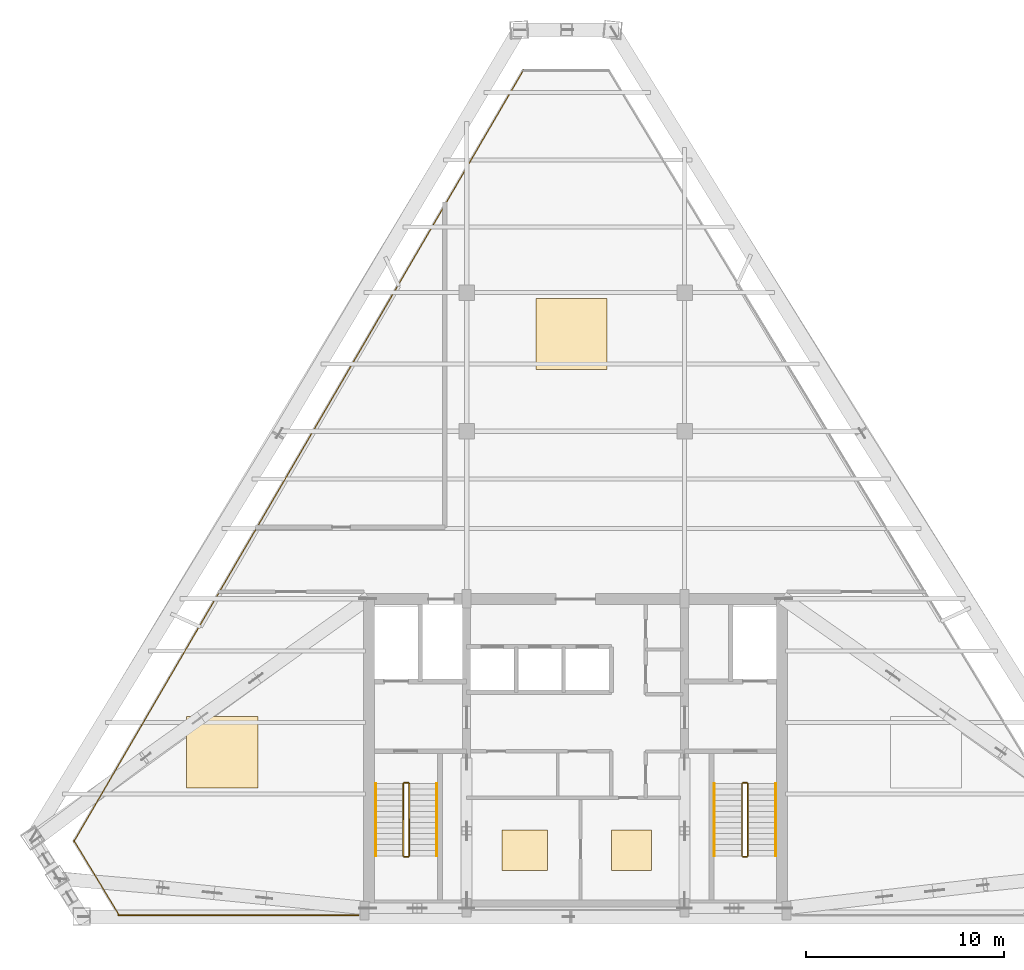
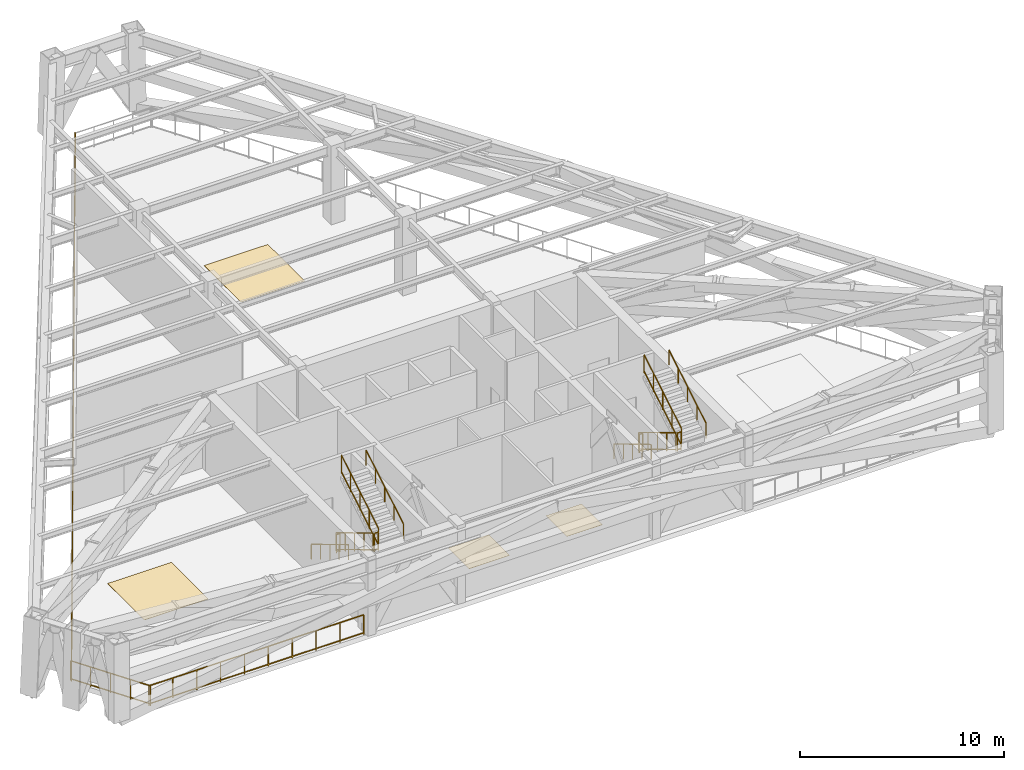
# One storey, part 8 of 9: 15 railings, 4 coverings.
"""IFC4 building model written with IfcOpenShell, lengths in metres."""

from ifc_helpers import new_model, si_unit, direction, frame, origin, origin_2d, place, context, subcontext, project, spatial, rectangle, extrude, source, transform, mapped, material, layer, layer_set, type_object, type_shapes, element, save


model = new_model("IFC4")

# Units and contexts
model_context = context("Model", 3, precision=1e-05, world=origin(), true_north=direction((0.0, 1.0)))
body_context = subcontext(model_context, "Body", "Model", "MODEL_VIEW")
ifc_project = project(units=[si_unit("LENGTHUNIT", "METRE"), si_unit("AREAUNIT", "SQUARE_METRE"), si_unit("VOLUMEUNIT", "CUBIC_METRE"), si_unit("PLANEANGLEUNIT", "RADIAN"), si_unit("MASSUNIT", "GRAM", prefix="KILO")], contexts=[model_context])

# Site, building, storey
site_placement = place(None, origin())
site = spatial("IfcSite", under=ifc_project, at=site_placement, CompositionType="ELEMENT")
building_placement = place(site_placement, origin())
building = spatial("IfcBuilding", under=site, at=building_placement, Name="Varnakhor Terracotta Tower", CompositionType="ELEMENT")
storey_placement = place(building_placement, frame((0.0, 0.0, 257.949951171875)))
storey = spatial("IfcBuildingStorey", under=building, at=storey_placement, Name="L67", CompositionType="ELEMENT", Elevation=257.949951171875)

# Railings
ifc_material_1 = material(Name="Painted Steel Stairwell Guardrail", Category="steel")
railing_type_1 = type_object("IfcRailingType", Name="RLG-STAIR-GUARD-1120", PredefinedType="GUARDRAIL", material=ifc_material_1)
railing_1_placement = place(storey_placement, frame((-8.699951171875, 6.7099609375, 0.16796875)))
element("IfcRailing", 1, at=railing_1_placement, inside=storey, type_object=railing_type_1, Name="L67 ST-1 stair guard 1", PredefinedType="GUARDRAIL", context=body_context, shape_type="SweptSolid", body=[
    extrude(rectangle(XDim=0.048095703125, YDim=0.048095703125, at=origin_2d()), frame((0.0, 0.0, 1.09619140625), z_axis=(0.0, -0.857680679645, 0.514182702708), x_axis=(1.0, 0.0, 0.0)), (0.0, 0.0, 1.0), 4.243896484375),
    extrude(rectangle(XDim=0.048095703125, YDim=0.048095703125, at=origin_2d()), frame((0.0, 0.0, 0.10009765625), z_axis=(0.0, -0.857680679645, 0.514182702708), x_axis=(1.0, 0.0, 0.0)), (0.0, 0.0, 1.0), 4.243896484375),
    extrude(rectangle(XDim=0.0419921875, YDim=0.0419921875, at=origin_2d()), origin(), (0.0, 0.0, 1.0), 1.072021484375),
    extrude(rectangle(XDim=0.0419921875, YDim=0.0419921875, at=origin_2d()), frame((0.0, -0.909912109375, 0.54541015625)), (0.0, 0.0, 1.0), 1.072021484375),
    extrude(rectangle(XDim=0.0419921875, YDim=0.0419921875, at=origin_2d()), frame((0.0, -1.81982421875, 1.091064453125)), (0.0, 0.0, 1.0), 1.072021484375),
    extrude(rectangle(XDim=0.0419921875, YDim=0.0419921875, at=origin_2d()), frame((0.0, -2.72998046875, 1.63671875)), (0.0, 0.0, 1.0), 1.072021484375),
    extrude(rectangle(XDim=0.0419921875, YDim=0.0419921875, at=origin_2d()), frame((0.0, -3.639892578125, 2.18212890625)), (0.0, 0.0, 1.0), 1.072021484375),
])
railing_2_placement = place(storey_placement, frame((-8.64990234375, 3.02001953125, 2.35009765625)))
element("IfcRailing", 2, at=railing_2_placement, inside=storey, type_object=railing_type_1, Name="L67 ST-1 stair guard 2", PredefinedType="GUARDRAIL", context=body_context, shape_type="SweptSolid", body=[
    extrude(rectangle(XDim=0.048095703125, YDim=0.048095703125, at=origin_2d()), frame((0.0, 0.0, 1.09619140625), z_axis=(1.0, 0.0, 0.0), x_axis=(0.0, 1.0, 0.0)), (0.0, 0.0, 1.0), 0.199951171875),
    extrude(rectangle(XDim=0.048095703125, YDim=0.048095703125, at=origin_2d()), frame((0.0, 0.0, 0.10009765625), z_axis=(1.0, 0.0, 0.0), x_axis=(0.0, 1.0, 0.0)), (0.0, 0.0, 1.0), 0.199951171875),
    extrude(rectangle(XDim=0.0419921875, YDim=0.0419921875, at=origin_2d()), origin(), (0.0, 0.0, 1.0), 1.072021484375),
    extrude(rectangle(XDim=0.0419921875, YDim=0.0419921875, at=origin_2d()), frame((0.199951171875, 0.0, 0.0)), (0.0, 0.0, 1.0), 1.072021484375),
])
railing_3_placement = place(storey_placement, frame((-8.39990234375, 3.070068359375, 2.517822265625)))
element("IfcRailing", 3, at=railing_3_placement, inside=storey, type_object=railing_type_1, Name="L67 ST-1 stair guard 3", PredefinedType="GUARDRAIL", context=body_context, shape_type="SweptSolid", body=[
    extrude(rectangle(XDim=0.048095703125, YDim=0.048095703125, at=origin_2d()), frame((0.0, 0.0, 1.09619140625), z_axis=(0.0, 0.857680679645, 0.514182702708), x_axis=(-1.0, 0.0, 0.0)), (0.0, 0.0, 1.0), 4.243896484375),
    extrude(rectangle(XDim=0.048095703125, YDim=0.048095703125, at=origin_2d()), frame((0.0, 0.0, 0.10009765625), z_axis=(0.0, 0.857680679645, 0.514182702708), x_axis=(-1.0, 0.0, 0.0)), (0.0, 0.0, 1.0), 4.243896484375),
    extrude(rectangle(XDim=0.0419921875, YDim=0.0419921875, at=origin_2d()), origin(), (0.0, 0.0, 1.0), 1.072021484375),
    extrude(rectangle(XDim=0.0419921875, YDim=0.0419921875, at=origin_2d()), frame((0.0, 0.909912109375, 0.54541015625)), (0.0, 0.0, 1.0), 1.072021484375),
    extrude(rectangle(XDim=0.0419921875, YDim=0.0419921875, at=origin_2d()), frame((0.0, 1.81982421875, 1.091064453125)), (0.0, 0.0, 1.0), 1.072021484375),
    extrude(rectangle(XDim=0.0419921875, YDim=0.0419921875, at=origin_2d()), frame((0.0, 2.72998046875, 1.63671875)), (0.0, 0.0, 1.0), 1.072021484375),
    extrude(rectangle(XDim=0.0419921875, YDim=0.0419921875, at=origin_2d()), frame((0.0, 3.639892578125, 2.18212890625)), (0.0, 0.0, 1.0), 1.072021484375),
])
railing_4_placement = place(storey_placement, frame((-8.64990234375, 6.760009765625, 0.0)))
element("IfcRailing", 4, at=railing_4_placement, inside=storey, type_object=railing_type_1, Name="L67 ST-1 stair guard 4", PredefinedType="GUARDRAIL", context=body_context, shape_type="SweptSolid", body=[
    extrude(rectangle(XDim=0.048095703125, YDim=0.048095703125, at=origin_2d()), frame((0.0, 0.0, 1.09619140625), z_axis=(1.0, 0.0, 0.0), x_axis=(0.0, 1.0, 0.0)), (0.0, 0.0, 1.0), 0.199951171875),
    extrude(rectangle(XDim=0.048095703125, YDim=0.048095703125, at=origin_2d()), frame((0.0, 0.0, 0.10009765625), z_axis=(1.0, 0.0, 0.0), x_axis=(0.0, 1.0, 0.0)), (0.0, 0.0, 1.0), 0.199951171875),
    extrude(rectangle(XDim=0.0419921875, YDim=0.0419921875, at=origin_2d()), origin(), (0.0, 0.0, 1.0), 1.072021484375),
    extrude(rectangle(XDim=0.0419921875, YDim=0.0419921875, at=origin_2d()), frame((0.199951171875, 0.0, 0.0)), (0.0, 0.0, 1.0), 1.072021484375),
])
railing_5_placement = place(storey_placement, frame((8.39990234375, 6.7099609375, 0.16796875)))
element("IfcRailing", 5, at=railing_5_placement, inside=storey, type_object=railing_type_1, Name="L67 ST-2 stair guard 1", PredefinedType="GUARDRAIL", context=body_context, shape_type="SweptSolid", body=[
    extrude(rectangle(XDim=0.048095703125, YDim=0.048095703125, at=origin_2d()), frame((0.0, 0.0, 1.09619140625), z_axis=(0.0, -0.857680679645, 0.514182702708), x_axis=(1.0, 0.0, 0.0)), (0.0, 0.0, 1.0), 4.243896484375),
    extrude(rectangle(XDim=0.048095703125, YDim=0.048095703125, at=origin_2d()), frame((0.0, 0.0, 0.10009765625), z_axis=(0.0, -0.857680679645, 0.514182702708), x_axis=(1.0, 0.0, 0.0)), (0.0, 0.0, 1.0), 4.243896484375),
    extrude(rectangle(XDim=0.0419921875, YDim=0.0419921875, at=origin_2d()), origin(), (0.0, 0.0, 1.0), 1.072021484375),
    extrude(rectangle(XDim=0.0419921875, YDim=0.0419921875, at=origin_2d()), frame((0.0, -0.909912109375, 0.54541015625)), (0.0, 0.0, 1.0), 1.072021484375),
    extrude(rectangle(XDim=0.0419921875, YDim=0.0419921875, at=origin_2d()), frame((0.0, -1.81982421875, 1.091064453125)), (0.0, 0.0, 1.0), 1.072021484375),
    extrude(rectangle(XDim=0.0419921875, YDim=0.0419921875, at=origin_2d()), frame((0.0, -2.72998046875, 1.63671875)), (0.0, 0.0, 1.0), 1.072021484375),
    extrude(rectangle(XDim=0.0419921875, YDim=0.0419921875, at=origin_2d()), frame((0.0, -3.639892578125, 2.18212890625)), (0.0, 0.0, 1.0), 1.072021484375),
])
railing_6_placement = place(storey_placement, frame((8.449951171875, 3.02001953125, 2.35009765625)))
element("IfcRailing", 6, at=railing_6_placement, inside=storey, type_object=railing_type_1, Name="L67 ST-2 stair guard 2", PredefinedType="GUARDRAIL", context=body_context, shape_type="SweptSolid", body=[
    extrude(rectangle(XDim=0.048095703125, YDim=0.048095703125, at=origin_2d()), frame((0.0, 0.0, 1.09619140625), z_axis=(1.0, 0.0, 0.0), x_axis=(0.0, 1.0, 0.0)), (0.0, 0.0, 1.0), 0.199951171875),
    extrude(rectangle(XDim=0.048095703125, YDim=0.048095703125, at=origin_2d()), frame((0.0, 0.0, 0.10009765625), z_axis=(1.0, 0.0, 0.0), x_axis=(0.0, 1.0, 0.0)), (0.0, 0.0, 1.0), 0.199951171875),
    extrude(rectangle(XDim=0.0419921875, YDim=0.0419921875, at=origin_2d()), origin(), (0.0, 0.0, 1.0), 1.072021484375),
    extrude(rectangle(XDim=0.0419921875, YDim=0.0419921875, at=origin_2d()), frame((0.199951171875, 0.0, 0.0)), (0.0, 0.0, 1.0), 1.072021484375),
])
railing_7_placement = place(storey_placement, frame((8.699951171875, 3.070068359375, 2.517822265625)))
element("IfcRailing", 7, at=railing_7_placement, inside=storey, type_object=railing_type_1, Name="L67 ST-2 stair guard 3", PredefinedType="GUARDRAIL", context=body_context, shape_type="SweptSolid", body=[
    extrude(rectangle(XDim=0.048095703125, YDim=0.048095703125, at=origin_2d()), frame((0.0, 0.0, 1.09619140625), z_axis=(0.0, 0.857680679645, 0.514182702708), x_axis=(-1.0, 0.0, 0.0)), (0.0, 0.0, 1.0), 4.243896484375),
    extrude(rectangle(XDim=0.048095703125, YDim=0.048095703125, at=origin_2d()), frame((0.0, 0.0, 0.10009765625), z_axis=(0.0, 0.857680679645, 0.514182702708), x_axis=(-1.0, 0.0, 0.0)), (0.0, 0.0, 1.0), 4.243896484375),
    extrude(rectangle(XDim=0.0419921875, YDim=0.0419921875, at=origin_2d()), origin(), (0.0, 0.0, 1.0), 1.072021484375),
    extrude(rectangle(XDim=0.0419921875, YDim=0.0419921875, at=origin_2d()), frame((0.0, 0.909912109375, 0.54541015625)), (0.0, 0.0, 1.0), 1.072021484375),
    extrude(rectangle(XDim=0.0419921875, YDim=0.0419921875, at=origin_2d()), frame((0.0, 1.81982421875, 1.091064453125)), (0.0, 0.0, 1.0), 1.072021484375),
    extrude(rectangle(XDim=0.0419921875, YDim=0.0419921875, at=origin_2d()), frame((0.0, 2.72998046875, 1.63671875)), (0.0, 0.0, 1.0), 1.072021484375),
    extrude(rectangle(XDim=0.0419921875, YDim=0.0419921875, at=origin_2d()), frame((0.0, 3.639892578125, 2.18212890625)), (0.0, 0.0, 1.0), 1.072021484375),
])
railing_8_placement = place(storey_placement, frame((8.449951171875, 6.760009765625, 0.0)))
element("IfcRailing", 8, at=railing_8_placement, inside=storey, type_object=railing_type_1, Name="L67 ST-2 stair guard 4", PredefinedType="GUARDRAIL", context=body_context, shape_type="SweptSolid", body=[
    extrude(rectangle(XDim=0.048095703125, YDim=0.048095703125, at=origin_2d()), frame((0.0, 0.0, 1.09619140625), z_axis=(1.0, 0.0, 0.0), x_axis=(0.0, 1.0, 0.0)), (0.0, 0.0, 1.0), 0.199951171875),
    extrude(rectangle(XDim=0.048095703125, YDim=0.048095703125, at=origin_2d()), frame((0.0, 0.0, 0.10009765625), z_axis=(1.0, 0.0, 0.0), x_axis=(0.0, 1.0, 0.0)), (0.0, 0.0, 1.0), 0.199951171875),
    extrude(rectangle(XDim=0.0419921875, YDim=0.0419921875, at=origin_2d()), origin(), (0.0, 0.0, 1.0), 1.072021484375),
    extrude(rectangle(XDim=0.0419921875, YDim=0.0419921875, at=origin_2d()), frame((0.199951171875, 0.0, 0.0)), (0.0, 0.0, 1.0), 1.072021484375),
])
ifc_material_2 = material(Name="Brushed Stainless Steel Handrail", Category="steel")
railing_type_2 = type_object("IfcRailingType", Name="RLG-STAIR-HANDRAIL-920", PredefinedType="HANDRAIL", material=ifc_material_2)
railing_9_placement = place(storey_placement, frame((-10.10009765625, 6.7099609375, 0.16796875)))
element("IfcRailing", 9, at=railing_9_placement, inside=storey, type_object=railing_type_2, Name="L67 ST-1 stair handrail 1", PredefinedType="HANDRAIL", context=body_context, shape_type="SweptSolid", body=[
    extrude(rectangle(XDim=0.048095703125, YDim=0.048095703125, at=origin_2d()), frame((0.0, 0.0, 0.89599609375), z_axis=(0.0, -0.857680679645, 0.514182702708), x_axis=(1.0, 0.0, 0.0)), (0.0, 0.0, 1.0), 4.243896484375),
    extrude(rectangle(XDim=0.0419921875, YDim=0.0419921875, at=origin_2d()), origin(), (0.0, 0.0, 1.0), 0.871826171875),
    extrude(rectangle(XDim=0.0419921875, YDim=0.0419921875, at=origin_2d()), frame((0.0, -0.909912109375, 0.54541015625)), (0.0, 0.0, 1.0), 0.871826171875),
    extrude(rectangle(XDim=0.0419921875, YDim=0.0419921875, at=origin_2d()), frame((0.0, -1.81982421875, 1.091064453125)), (0.0, 0.0, 1.0), 0.871826171875),
    extrude(rectangle(XDim=0.0419921875, YDim=0.0419921875, at=origin_2d()), frame((0.0, -2.72998046875, 1.63671875)), (0.0, 0.0, 1.0), 0.871826171875),
    extrude(rectangle(XDim=0.0419921875, YDim=0.0419921875, at=origin_2d()), frame((0.0, -3.639892578125, 2.18212890625)), (0.0, 0.0, 1.0), 0.871826171875),
])
railing_10_placement = place(storey_placement, frame((-7.0, 3.070068359375, 2.517822265625)))
element("IfcRailing", 10, at=railing_10_placement, inside=storey, type_object=railing_type_2, Name="L67 ST-1 stair handrail 2", PredefinedType="HANDRAIL", context=body_context, shape_type="SweptSolid", body=[
    extrude(rectangle(XDim=0.048095703125, YDim=0.048095703125, at=origin_2d()), frame((0.0, 0.0, 0.89599609375), z_axis=(0.0, 0.857680679645, 0.514182702708), x_axis=(-1.0, 0.0, 0.0)), (0.0, 0.0, 1.0), 4.243896484375),
    extrude(rectangle(XDim=0.0419921875, YDim=0.0419921875, at=origin_2d()), origin(), (0.0, 0.0, 1.0), 0.871826171875),
    extrude(rectangle(XDim=0.0419921875, YDim=0.0419921875, at=origin_2d()), frame((0.0, 0.909912109375, 0.54541015625)), (0.0, 0.0, 1.0), 0.871826171875),
    extrude(rectangle(XDim=0.0419921875, YDim=0.0419921875, at=origin_2d()), frame((0.0, 1.81982421875, 1.091064453125)), (0.0, 0.0, 1.0), 0.871826171875),
    extrude(rectangle(XDim=0.0419921875, YDim=0.0419921875, at=origin_2d()), frame((0.0, 2.72998046875, 1.63671875)), (0.0, 0.0, 1.0), 0.871826171875),
    extrude(rectangle(XDim=0.0419921875, YDim=0.0419921875, at=origin_2d()), frame((0.0, 3.639892578125, 2.18212890625)), (0.0, 0.0, 1.0), 0.871826171875),
])
railing_11_placement = place(storey_placement, frame((7.0, 6.7099609375, 0.16796875)))
element("IfcRailing", 11, at=railing_11_placement, inside=storey, type_object=railing_type_2, Name="L67 ST-2 stair handrail 1", PredefinedType="HANDRAIL", context=body_context, shape_type="SweptSolid", body=[
    extrude(rectangle(XDim=0.048095703125, YDim=0.048095703125, at=origin_2d()), frame((0.0, 0.0, 0.89599609375), z_axis=(0.0, -0.857680679645, 0.514182702708), x_axis=(1.0, 0.0, 0.0)), (0.0, 0.0, 1.0), 4.243896484375),
    extrude(rectangle(XDim=0.0419921875, YDim=0.0419921875, at=origin_2d()), origin(), (0.0, 0.0, 1.0), 0.871826171875),
    extrude(rectangle(XDim=0.0419921875, YDim=0.0419921875, at=origin_2d()), frame((0.0, -0.909912109375, 0.54541015625)), (0.0, 0.0, 1.0), 0.871826171875),
    extrude(rectangle(XDim=0.0419921875, YDim=0.0419921875, at=origin_2d()), frame((0.0, -1.81982421875, 1.091064453125)), (0.0, 0.0, 1.0), 0.871826171875),
    extrude(rectangle(XDim=0.0419921875, YDim=0.0419921875, at=origin_2d()), frame((0.0, -2.72998046875, 1.63671875)), (0.0, 0.0, 1.0), 0.871826171875),
    extrude(rectangle(XDim=0.0419921875, YDim=0.0419921875, at=origin_2d()), frame((0.0, -3.639892578125, 2.18212890625)), (0.0, 0.0, 1.0), 0.871826171875),
])
railing_12_placement = place(storey_placement, frame((10.10009765625, 3.070068359375, 2.517822265625)))
element("IfcRailing", 12, at=railing_12_placement, inside=storey, type_object=railing_type_2, Name="L67 ST-2 stair handrail 2", PredefinedType="HANDRAIL", context=body_context, shape_type="SweptSolid", body=[
    extrude(rectangle(XDim=0.048095703125, YDim=0.048095703125, at=origin_2d()), frame((0.0, 0.0, 0.89599609375), z_axis=(0.0, 0.857680679645, 0.514182702708), x_axis=(-1.0, 0.0, 0.0)), (0.0, 0.0, 1.0), 4.243896484375),
    extrude(rectangle(XDim=0.0419921875, YDim=0.0419921875, at=origin_2d()), origin(), (0.0, 0.0, 1.0), 0.871826171875),
    extrude(rectangle(XDim=0.0419921875, YDim=0.0419921875, at=origin_2d()), frame((0.0, 0.909912109375, 0.54541015625)), (0.0, 0.0, 1.0), 0.871826171875),
    extrude(rectangle(XDim=0.0419921875, YDim=0.0419921875, at=origin_2d()), frame((0.0, 1.81982421875, 1.091064453125)), (0.0, 0.0, 1.0), 0.871826171875),
    extrude(rectangle(XDim=0.0419921875, YDim=0.0419921875, at=origin_2d()), frame((0.0, 2.72998046875, 1.63671875)), (0.0, 0.0, 1.0), 0.871826171875),
    extrude(rectangle(XDim=0.0419921875, YDim=0.0419921875, at=origin_2d()), frame((0.0, 3.639892578125, 2.18212890625)), (0.0, 0.0, 1.0), 0.871826171875),
])
ifc_material_3 = material(Name="Terracotta & Brushed Steel Balustrade", Category="masonry")
railing_type_3 = type_object("IfcRailingType", Name="RLG-TERRACE-GUARD-1200", PredefinedType="BALUSTRADE", material=ifc_material_3)
railing_13_placement = place(storey_placement, frame((-25.334716796875, 3.77392578125, 0.0)))
element("IfcRailing", 13, at=railing_13_placement, inside=storey, type_object=railing_type_3, Name="L67 Open Floor Perimeter Guard 1", PredefinedType="BALUSTRADE", context=body_context, shape_type="SweptSolid", body=[
    extrude(rectangle(XDim=0.048095703125, YDim=0.048095703125, at=origin_2d()), frame((0.0, 0.0, 1.17578125), z_axis=(0.503463360519, 0.864016576586, 0.0), x_axis=(-0.864016576586, 0.503463360519, 0.0)), (0.0, 0.0, 1.0), 45.0986328125),
    extrude(rectangle(XDim=0.048095703125, YDim=0.048095703125, at=origin_2d()), frame((0.0, 0.0, 0.10009765625), z_axis=(0.503463360519, 0.864016576586, 0.0), x_axis=(-0.864016576586, 0.503463360519, 0.0)), (0.0, 0.0, 1.0), 45.0986328125),
    extrude(rectangle(XDim=0.0419921875, YDim=0.0419921875, at=origin_2d()), origin(), (0.0, 0.0, 1.0), 1.15185546875),
    extrude(rectangle(XDim=0.0419921875, YDim=0.0419921875, at=origin_2d()), frame((0.68798828125, 1.180908203125, 0.0)), (0.0, 0.0, 1.0), 1.15185546875),
    extrude(rectangle(XDim=0.0419921875, YDim=0.0419921875, at=origin_2d()), frame((1.3759765625, 2.361572265625, 0.0)), (0.0, 0.0, 1.0), 1.15185546875),
    extrude(rectangle(XDim=0.0419921875, YDim=0.0419921875, at=origin_2d()), frame((2.064208984375, 3.54248046875, 0.0)), (0.0, 0.0, 1.0), 1.15185546875),
    extrude(rectangle(XDim=0.0419921875, YDim=0.0419921875, at=origin_2d()), frame((2.752197265625, 4.72314453125, 0.0)), (0.0, 0.0, 1.0), 1.15185546875),
    extrude(rectangle(XDim=0.0419921875, YDim=0.0419921875, at=origin_2d()), frame((3.440185546875, 5.904052734375, 0.0)), (0.0, 0.0, 1.0), 1.15185546875),
    extrude(rectangle(XDim=0.0419921875, YDim=0.0419921875, at=origin_2d()), frame((4.128173828125, 7.084716796875, 0.0)), (0.0, 0.0, 1.0), 1.15185546875),
    extrude(rectangle(XDim=0.0419921875, YDim=0.0419921875, at=origin_2d()), frame((4.81640625, 8.265625, 0.0)), (0.0, 0.0, 1.0), 1.15185546875),
    extrude(rectangle(XDim=0.0419921875, YDim=0.0419921875, at=origin_2d()), frame((5.50439453125, 9.4462890625, 0.0)), (0.0, 0.0, 1.0), 1.15185546875),
    extrude(rectangle(XDim=0.0419921875, YDim=0.0419921875, at=origin_2d()), frame((6.1923828125, 10.627197265625, 0.0)), (0.0, 0.0, 1.0), 1.15185546875),
    extrude(rectangle(XDim=0.0419921875, YDim=0.0419921875, at=origin_2d()), frame((6.88037109375, 11.807861328125, 0.0)), (0.0, 0.0, 1.0), 1.15185546875),
    extrude(rectangle(XDim=0.0419921875, YDim=0.0419921875, at=origin_2d()), frame((7.568603515625, 12.98876953125, 0.0)), (0.0, 0.0, 1.0), 1.15185546875),
    extrude(rectangle(XDim=0.0419921875, YDim=0.0419921875, at=origin_2d()), frame((8.256591796875, 14.16943359375, 0.0)), (0.0, 0.0, 1.0), 1.15185546875),
    extrude(rectangle(XDim=0.0419921875, YDim=0.0419921875, at=origin_2d()), frame((8.944580078125, 15.350341796875, 0.0)), (0.0, 0.0, 1.0), 1.15185546875),
    extrude(rectangle(XDim=0.0419921875, YDim=0.0419921875, at=origin_2d()), frame((9.632568359375, 16.531005859375, 0.0)), (0.0, 0.0, 1.0), 1.15185546875),
    extrude(rectangle(XDim=0.0419921875, YDim=0.0419921875, at=origin_2d()), frame((10.32080078125, 17.7119140625, 0.0)), (0.0, 0.0, 1.0), 1.15185546875),
    extrude(rectangle(XDim=0.0419921875, YDim=0.0419921875, at=origin_2d()), frame((11.0087890625, 18.892578125, 0.0)), (0.0, 0.0, 1.0), 1.15185546875),
    extrude(rectangle(XDim=0.0419921875, YDim=0.0419921875, at=origin_2d()), frame((11.69677734375, 20.073486328125, 0.0)), (0.0, 0.0, 1.0), 1.15185546875),
    extrude(rectangle(XDim=0.0419921875, YDim=0.0419921875, at=origin_2d()), frame((12.384765625, 21.254150390625, 0.0)), (0.0, 0.0, 1.0), 1.15185546875),
    extrude(rectangle(XDim=0.0419921875, YDim=0.0419921875, at=origin_2d()), frame((13.072998046875, 22.43505859375, 0.0)), (0.0, 0.0, 1.0), 1.15185546875),
    extrude(rectangle(XDim=0.0419921875, YDim=0.0419921875, at=origin_2d()), frame((13.760986328125, 23.61572265625, 0.0)), (0.0, 0.0, 1.0), 1.15185546875),
    extrude(rectangle(XDim=0.0419921875, YDim=0.0419921875, at=origin_2d()), frame((14.448974609375, 24.796630859375, 0.0)), (0.0, 0.0, 1.0), 1.15185546875),
    extrude(rectangle(XDim=0.0419921875, YDim=0.0419921875, at=origin_2d()), frame((15.136962890625, 25.977294921875, 0.0)), (0.0, 0.0, 1.0), 1.15185546875),
    extrude(rectangle(XDim=0.0419921875, YDim=0.0419921875, at=origin_2d()), frame((15.8251953125, 27.158203125, 0.0)), (0.0, 0.0, 1.0), 1.15185546875),
    extrude(rectangle(XDim=0.0419921875, YDim=0.0419921875, at=origin_2d()), frame((16.51318359375, 28.3388671875, 0.0)), (0.0, 0.0, 1.0), 1.15185546875),
    extrude(rectangle(XDim=0.0419921875, YDim=0.0419921875, at=origin_2d()), frame((17.201171875, 29.519775390625, 0.0)), (0.0, 0.0, 1.0), 1.15185546875),
    extrude(rectangle(XDim=0.0419921875, YDim=0.0419921875, at=origin_2d()), frame((17.88916015625, 30.700439453125, 0.0)), (0.0, 0.0, 1.0), 1.15185546875),
    extrude(rectangle(XDim=0.0419921875, YDim=0.0419921875, at=origin_2d()), frame((18.577392578125, 31.88134765625, 0.0)), (0.0, 0.0, 1.0), 1.15185546875),
    extrude(rectangle(XDim=0.0419921875, YDim=0.0419921875, at=origin_2d()), frame((19.265380859375, 33.06201171875, 0.0)), (0.0, 0.0, 1.0), 1.15185546875),
    extrude(rectangle(XDim=0.0419921875, YDim=0.0419921875, at=origin_2d()), frame((19.953369140625, 34.242919921875, 0.0)), (0.0, 0.0, 1.0), 1.15185546875),
    extrude(rectangle(XDim=0.0419921875, YDim=0.0419921875, at=origin_2d()), frame((20.641357421875, 35.423583984375, 0.0)), (0.0, 0.0, 1.0), 1.15185546875),
    extrude(rectangle(XDim=0.0419921875, YDim=0.0419921875, at=origin_2d()), frame((21.32958984375, 36.6044921875, 0.0)), (0.0, 0.0, 1.0), 1.15185546875),
    extrude(rectangle(XDim=0.0419921875, YDim=0.0419921875, at=origin_2d()), frame((22.017578125, 37.78515625, 0.0)), (0.0, 0.0, 1.0), 1.15185546875),
    extrude(rectangle(XDim=0.0419921875, YDim=0.0419921875, at=origin_2d()), frame((22.70556640625, 38.966064453125, 0.0)), (0.0, 0.0, 1.0), 1.15185546875),
])
railing_14_placement = place(storey_placement, frame((-10.9599609375, 0.080078125, 0.0)))
element("IfcRailing", 14, at=railing_14_placement, inside=storey, type_object=railing_type_3, Name="L67 Open Refuge Perimeter Guard SSW", PredefinedType="BALUSTRADE", context=body_context, shape_type="SweptSolid", body=[
    extrude(rectangle(XDim=0.048095703125, YDim=0.048095703125, at=origin_2d()), frame((0.0, 0.0, 1.17578125), z_axis=(-1.0, 0.0, 0.0), x_axis=(0.0, -1.0, 0.0)), (0.0, 0.0, 1.0), 12.132568359375),
    extrude(rectangle(XDim=0.048095703125, YDim=0.048095703125, at=origin_2d()), frame((0.0, 0.0, 0.10009765625), z_axis=(-1.0, 0.0, 0.0), x_axis=(0.0, -1.0, 0.0)), (0.0, 0.0, 1.0), 12.132568359375),
    extrude(rectangle(XDim=0.0419921875, YDim=0.0419921875, at=origin_2d()), origin(), (0.0, 0.0, 1.0), 1.15185546875),
    extrude(rectangle(XDim=0.0419921875, YDim=0.0419921875, at=origin_2d()), frame((-1.34814453125, 0.0, 0.0)), (0.0, 0.0, 1.0), 1.15185546875),
    extrude(rectangle(XDim=0.0419921875, YDim=0.0419921875, at=origin_2d()), frame((-2.696044921875, 0.0, 0.0)), (0.0, 0.0, 1.0), 1.15185546875),
    extrude(rectangle(XDim=0.0419921875, YDim=0.0419921875, at=origin_2d()), frame((-4.044189453125, 0.0, 0.0)), (0.0, 0.0, 1.0), 1.15185546875),
    extrude(rectangle(XDim=0.0419921875, YDim=0.0419921875, at=origin_2d()), frame((-5.392333984375, 0.0, 0.0)), (0.0, 0.0, 1.0), 1.15185546875),
    extrude(rectangle(XDim=0.0419921875, YDim=0.0419921875, at=origin_2d()), frame((-6.740234375, 0.0, 0.0)), (0.0, 0.0, 1.0), 1.15185546875),
    extrude(rectangle(XDim=0.0419921875, YDim=0.0419921875, at=origin_2d()), frame((-8.08837890625, 0.0, 0.0)), (0.0, 0.0, 1.0), 1.15185546875),
    extrude(rectangle(XDim=0.0419921875, YDim=0.0419921875, at=origin_2d()), frame((-9.4365234375, 0.0, 0.0)), (0.0, 0.0, 1.0), 1.15185546875),
    extrude(rectangle(XDim=0.0419921875, YDim=0.0419921875, at=origin_2d()), frame((-10.784423828125, 0.0, 0.0)), (0.0, 0.0, 1.0), 1.15185546875),
    extrude(rectangle(XDim=0.0419921875, YDim=0.0419921875, at=origin_2d()), frame((-12.132568359375, 0.0, 0.0)), (0.0, 0.0, 1.0), 1.15185546875),
])
railing_15_placement = place(storey_placement, frame((-23.024169921875, 0.04150390625, 0.0)))
element("IfcRailing", 15, at=railing_15_placement, inside=storey, type_object=railing_type_3, Name="L67 Open Floor Perimeter Guard 6", PredefinedType="BALUSTRADE", context=body_context, shape_type="SweptSolid", body=[
    extrude(rectangle(XDim=0.048095703125, YDim=0.048095703125, at=origin_2d()), frame((0.0, 0.0, 1.17578125), z_axis=(-0.518242267043, 0.855233858457, 0.0), x_axis=(-0.855233858457, -0.518242267043, 0.0)), (0.0, 0.0, 1.0), 4.4599609375),
    extrude(rectangle(XDim=0.048095703125, YDim=0.048095703125, at=origin_2d()), frame((0.0, 0.0, 0.10009765625), z_axis=(-0.518242267043, 0.855233858457, 0.0), x_axis=(-0.855233858457, -0.518242267043, 0.0)), (0.0, 0.0, 1.0), 4.4599609375),
    extrude(rectangle(XDim=0.0419921875, YDim=0.0419921875, at=origin_2d()), origin(), (0.0, 0.0, 1.0), 1.15185546875),
    extrude(rectangle(XDim=0.0419921875, YDim=0.0419921875, at=origin_2d()), frame((-0.577880859375, 0.95361328125, 0.0)), (0.0, 0.0, 1.0), 1.15185546875),
    extrude(rectangle(XDim=0.0419921875, YDim=0.0419921875, at=origin_2d()), frame((-1.15576171875, 1.9072265625, 0.0)), (0.0, 0.0, 1.0), 1.15185546875),
    extrude(rectangle(XDim=0.0419921875, YDim=0.0419921875, at=origin_2d()), frame((-1.7333984375, 2.860595703125, 0.0)), (0.0, 0.0, 1.0), 1.15185546875),
    extrude(rectangle(XDim=0.0419921875, YDim=0.0419921875, at=origin_2d()), frame((-2.311279296875, 3.814208984375, 0.0)), (0.0, 0.0, 1.0), 1.15185546875),
])

# Coverings
ifc_material_4 = material(Name="Insulated Elastomeric Waterproof Roofing Membrane", Category="other")
ifc_layer = layer(ifc_material_4, 0.034912109375, Name="Insulated Elastomeric Waterproof Roofing Membrane")
ifc_layer_set = layer_set([ifc_layer], Name="Insulated Elastomeric Waterproof Roofing Membrane")
covering_type = type_object("IfcCoveringType", Name="COV-ROOF-MEMBRANE", PredefinedType="ROOFING", material=ifc_layer_set)
shared_shape_1 = source(origin(), body_context, "Body", "SweptSolid", [
    extrude(rectangle(XDim=3.60009765625, YDim=3.60009765625, at=origin_2d()), origin(), (0.0, 0.0, 1.0), 0.014892578125),
])
type_shapes(covering_type, [shared_shape_1])
for number, where, z_axis, x_axis, name in (
    (16, (-17.845947265625, 8.291015625, 0.0), (0.0, 0.0, 1.0), (1.0, 0.0, 0.0), "L67 Waterproof Plant Membrane 4"),
    (17, (-0.205078125, 29.409912109375, 0.0), (0.0, 0.0, 1.0), (1.0, 0.0, 0.0), "L67 Waterproof Plant Membrane 5"),
):
    element("IfcCovering", number, at=place(storey_placement, frame(where, z_axis=z_axis, x_axis=x_axis)), inside=storey, type_object=covering_type, Name=name, PredefinedType="ROOFING", context=body_context, shape_type="MappedRepresentation", body=[
        mapped(shared_shape_1, transform((0.0, 0.0, 0.0), scale=1.0)),
    ])
shared_shape_2 = source(origin(), body_context, "Body", "SweptSolid", [
    extrude(rectangle(XDim=2.281982421875, YDim=2.041015625, at=origin_2d()), origin(), (0.0, 0.0, 1.0), 0.014892578125),
])
covering_1_placement = place(storey_placement, frame((-2.56494140625, 3.35498046875, 0.0), z_axis=(0.0, 0.0, 1.0), x_axis=(1.0, 0.0, 0.0)))
element("IfcCovering", 18, at=covering_1_placement, inside=storey, type_object=covering_type, Name="L67 Waterproof Plant Membrane 1", PredefinedType="ROOFING", context=body_context, shape_type="MappedRepresentation", body=[
    mapped(shared_shape_2, transform((0.0, 0.0, 0.0), scale=1.0)),
])
shared_shape_3 = source(origin(), body_context, "Body", "SweptSolid", [
    extrude(rectangle(XDim=2.007080078125, YDim=2.041015625, at=origin_2d()), origin(), (0.0, 0.0, 1.0), 0.014892578125),
])
covering_2_placement = place(storey_placement, frame((2.81494140625, 3.35498046875, 0.0), z_axis=(0.0, 0.0, 1.0), x_axis=(1.0, 0.0, 0.0)))
element("IfcCovering", 19, at=covering_2_placement, inside=storey, type_object=covering_type, Name="L67 Waterproof Plant Membrane 2", PredefinedType="ROOFING", context=body_context, shape_type="MappedRepresentation", body=[
    mapped(shared_shape_3, transform((0.0, 0.0, 0.0), scale=1.0)),
])

save(model, "model.ifc")
